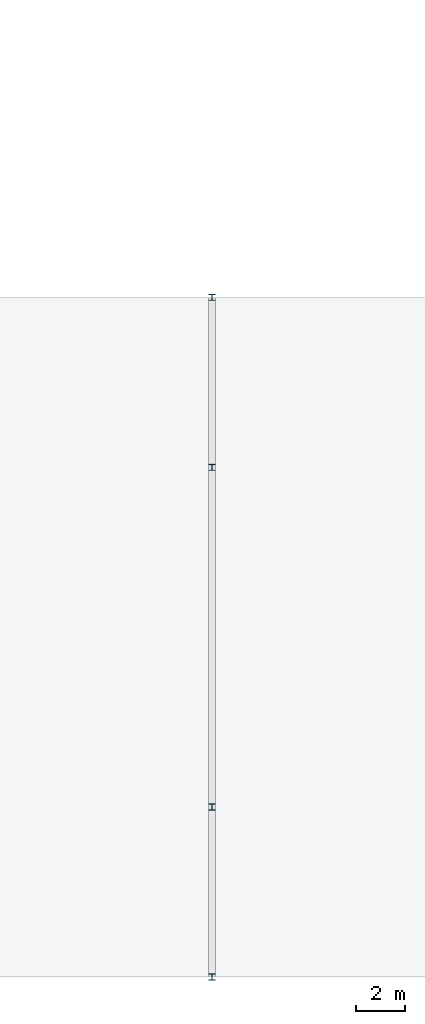
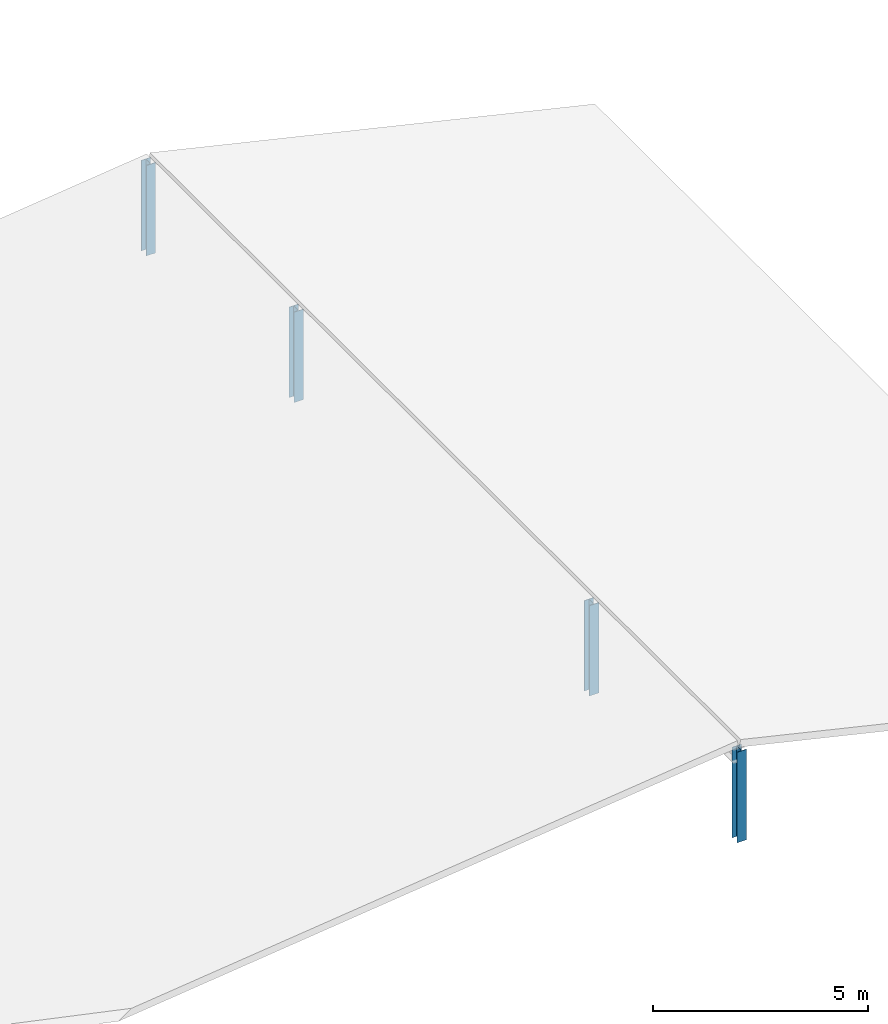
# One storey, part 1 of 91: 4 columns.
"""IFC4 building model written with IfcOpenShell, lengths in metres."""

from ifc_helpers import new_model, si_unit, direction, frame, origin, origin_2d, place, context, subcontext, project, spatial, i_section, extrude, material, material_profile, profile_set, type_object, element, save


model = new_model("IFC4")

# Units and contexts
model_context = context("Model", 3, precision=1e-05, world=origin(), true_north=direction((0.0, 1.0)))
body_context = subcontext(model_context, "Body", "Model", "MODEL_VIEW")
ifc_project = project(units=[si_unit("LENGTHUNIT", "METRE"), si_unit("AREAUNIT", "SQUARE_METRE"), si_unit("VOLUMEUNIT", "CUBIC_METRE"), si_unit("PLANEANGLEUNIT", "RADIAN"), si_unit("MASSUNIT", "GRAM", prefix="KILO")], contexts=[model_context])

# Site, building, storey
site_placement = place(None, origin())
site = spatial("IfcSite", under=ifc_project, at=site_placement, CompositionType="ELEMENT")
building_placement = place(site_placement, origin())
building = spatial("IfcBuilding", under=site, at=building_placement, Name="Linyun Crest Stadium", CompositionType="ELEMENT")
storey_placement = place(building_placement, frame((0.0, 0.0, 11.39990234375)))
storey = spatial("IfcBuildingStorey", under=building, at=storey_placement, Name="L03", CompositionType="ELEMENT", Elevation=11.39990234375)

# Columns
ifc_material = material(Name="Steel Q355C", Category="steel")
ifc_material_profile = material_profile(ifc_material, i_section(OverallWidth=0.25, OverallDepth=0.25, WebThickness=0.009033203125, FlangeThickness=0.013916015625, at=origin_2d()), Name="HW 250x250")
ifc_profile_set = profile_set([ifc_material_profile], Name="Steel Q355C")
column_type = type_object("IfcColumnType", Name="SC07", PredefinedType="COLUMN", material=ifc_profile_set)
for number, where, z_axis, x_axis, name in (
    (1, (-70.0, -94.125, 0.0), (0.0, 0.0, 1.0), (1.0, 0.0, 0.0), "Pavilion ridge post SC07 SW 65"),
    (2, (-70.0, -87.25, 0.0), (0.0, 0.0, 1.0), (1.0, 0.0, 0.0), "Pavilion ridge post SC07 SW 66"),
    (3, (-70.0, -73.5, 0.0), (0.0, 0.0, 1.0), (1.0, 0.0, 0.0), "Pavilion ridge post SC07 SW 67"),
    (4, (-70.0, -66.625, 0.0), (0.0, 0.0, 1.0), (1.0, 0.0, 0.0), "Pavilion ridge post SC07 SW 68"),
):
    element("IfcColumn", number, at=place(storey_placement, frame(where, z_axis=z_axis, x_axis=x_axis)), inside=storey, type_object=column_type, Name=name, PredefinedType="COLUMN", context=body_context, shape_type="SweptSolid", body=[
        extrude(i_section(OverallWidth=0.25, OverallDepth=0.25, WebThickness=0.009033203125, FlangeThickness=0.013916015625, at=origin_2d()), origin(), (0.0, 0.0, 1.0), 2.570068359375),
    ])

save(model, "model.ifc")
